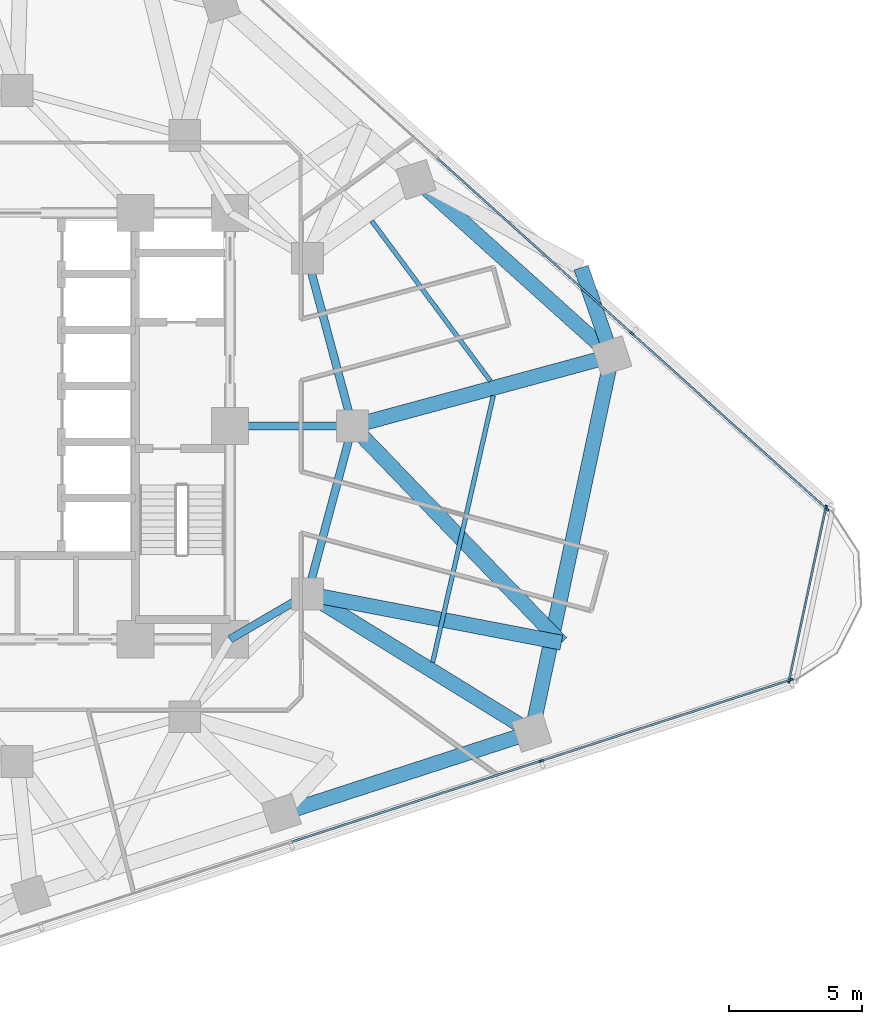
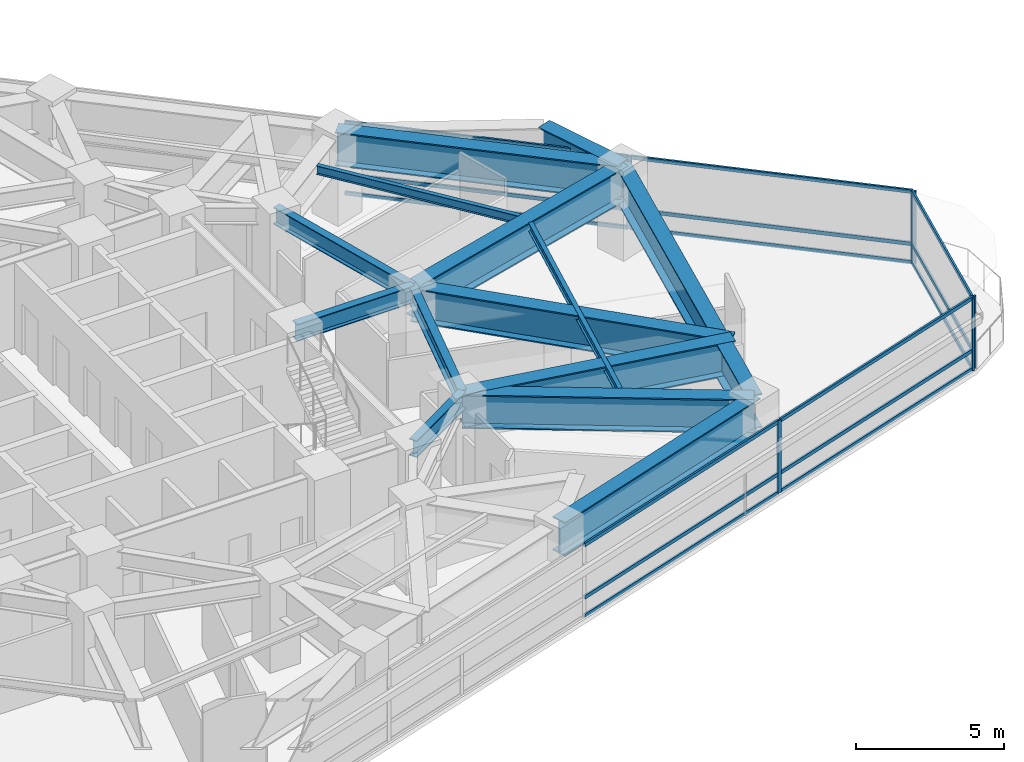
# One storey, part 4 of 14: 21 members, 14 beams, 3 elements without a shape of their own.
"""IFC4 building model written with IfcOpenShell, lengths in metres."""

from ifc_helpers import new_model, si_unit, direction, frame, origin, origin_2d, place, context, subcontext, project, spatial, rectangle, i_section, extrude, material, layer, layer_set, material_profile, profile_set, type_object, element, aggregate, save


model = new_model("IFC4")

# Units and contexts
model_context = context("Model", 3, precision=1e-05, world=origin(), true_north=direction((0.0, 1.0)))
body_context = subcontext(model_context, "Body", "Model", "MODEL_VIEW")
ifc_project = project(units=[si_unit("LENGTHUNIT", "METRE"), si_unit("AREAUNIT", "SQUARE_METRE"), si_unit("VOLUMEUNIT", "CUBIC_METRE"), si_unit("PLANEANGLEUNIT", "RADIAN"), si_unit("MASSUNIT", "GRAM", prefix="KILO")], contexts=[model_context])

# Site, building, storey
site_placement = place(None, origin())
site = spatial("IfcSite", under=ifc_project, at=site_placement, CompositionType="ELEMENT")
building_placement = place(site_placement, origin())
building = spatial("IfcBuilding", under=site, at=building_placement, Name="Terralouvre Media Tower", CompositionType="ELEMENT")
storey_placement = place(building_placement, frame((0.0, 0.0, 116.199951171875)))
storey = spatial("IfcBuildingStorey", under=building, at=storey_placement, Name="L29", CompositionType="ELEMENT", Elevation=116.199951171875)

# Beams
ifc_material_1 = material(Name="Structural steel S355J2", Category="steel")
ifc_material_profile_1 = material_profile(ifc_material_1, i_section(OverallWidth=0.169921875, OverallDepth=0.360107421875, WebThickness=0.008056640625, FlangeThickness=0.0126953125, at=origin_2d()), Name="IPE 360")
ifc_profile_set_1 = profile_set([ifc_material_profile_1], Name="Structural steel S355J2")
beam_type_1 = type_object("IfcBeamType", Name="Composite Floor Joist J-IPE360 (IPE 360)", PredefinedType="JOIST", material=ifc_profile_set_1)
beam_1_placement = place(storey_placement, frame((15.6064453125, -8.86865234375, 3.320068359375), z_axis=(0.221716686251, 0.975111127532, 0.0), x_axis=(-0.975111127532, 0.221716686251, 0.0)))
element("IfcBeam", 1, at=beam_1_placement, inside=storey, type_object=beam_type_1, Name="L29 Framing Beam JT-L29-06", PredefinedType="JOIST", context=body_context, shape_type="SweptSolid", body=[
    extrude(i_section(OverallWidth=0.169921875, OverallDepth=0.360107421875, WebThickness=0.008056640625, FlangeThickness=0.0126953125, at=origin_2d()), origin(), (0.0, 0.0, 1.0), 10.26708984375),
])
beam_2_placement = place(storey_placement, frame((17.774658203125, 1.68994140625, 3.320068359375), z_axis=(-0.595669069927, 0.803229954081, 0.0), x_axis=(-0.803229954081, -0.595669069927, 0.0)))
element("IfcBeam", 2, at=beam_2_placement, inside=storey, type_object=beam_type_1, Name="L29 Framing Beam JT-L29-07", PredefinedType="JOIST", context=body_context, shape_type="SweptSolid", body=[
    extrude(i_section(OverallWidth=0.169921875, OverallDepth=0.360107421875, WebThickness=0.008056640625, FlangeThickness=0.0126953125, at=origin_2d()), origin(), (0.0, 0.0, 1.0), 7.483154296875),
])

# Curtain wall, members
ifc_material_2 = material(Name="Low-iron laminated double glazing with solar-control coating", Category="glass")
ifc_layer_1 = layer(ifc_material_2, 0.1650390625, Name="Lower Media Tower Unitised Curtain Wall CW-02")
ifc_layer_set_1 = layer_set([ifc_layer_1], Name="Low-iron laminated double glazing with solar-control coating")
curtain_wall_type_1 = type_object("IfcCurtainWallType", Name="Lower Media Tower Unitised Curtain Wall CW-02", PredefinedType="NOTDEFINED", material=ifc_layer_set_1)
curtain_wall_1_placement = place(storey_placement, origin())
curtain_wall_1 = element("IfcCurtainWall", 3, at=curtain_wall_1_placement, inside=storey, type_object=curtain_wall_type_1, Name="L29 Facade Curtain Wall F0", PredefinedType="NOTDEFINED")
ifc_material_3 = material(Name="Anodised extruded aluminium 6063-T6", Category="aluminium")
ifc_material_profile_2 = material_profile(ifc_material_3, rectangle(XDim=0.074951171875, YDim=0.14990234375, at=origin_2d()), Name="ALU 75x150")
ifc_profile_set_2 = profile_set([ifc_material_profile_2], Name="Anodised extruded aluminium 6063-T6")
member_type_1 = type_object("IfcMemberType", Name="Curtain-Wall Horizontal Transom TR-150", PredefinedType="USERDEFINED", material=ifc_profile_set_2)
member_1_placement = place(storey_placement, frame((10.309814453125, -15.610107421875, 0.03759765625), z_axis=(0.951061672682, 0.309001124198, 0.0), x_axis=(-0.309001124198, 0.951061672682, 0.0)))
member_1 = element("IfcMember", 4, at=member_1_placement, type_object=member_type_1, Name="CW-02 transom 4.1", ObjectType="TRANSOM", PredefinedType="USERDEFINED", context=body_context, shape_type="SweptSolid", body=[
    extrude(rectangle(XDim=0.074951171875, YDim=0.14990234375, at=origin_2d()), origin(), (0.0, 0.0, 1.0), 9.81298828125),
])
member_2_placement = place(storey_placement, frame((10.309814453125, -15.610107421875, 0.800048828125), z_axis=(0.951061672682, 0.309001124198, 0.0), x_axis=(-0.309001124198, 0.951061672682, 0.0)))
member_2 = element("IfcMember", 5, at=member_2_placement, type_object=member_type_1, Name="CW-02 transom 4.2", ObjectType="TRANSOM", PredefinedType="USERDEFINED", context=body_context, shape_type="SweptSolid", body=[
    extrude(rectangle(XDim=0.074951171875, YDim=0.14990234375, at=origin_2d()), origin(), (0.0, 0.0, 1.0), 9.81298828125),
])
member_3_placement = place(storey_placement, frame((10.309814453125, -15.610107421875, 2.962646484375), z_axis=(0.951061672682, 0.309001124198, 0.0), x_axis=(-0.309001124198, 0.951061672682, 0.0)))
member_3 = element("IfcMember", 6, at=member_3_placement, type_object=member_type_1, Name="CW-02 transom 4.3", ObjectType="TRANSOM", PredefinedType="USERDEFINED", context=body_context, shape_type="SweptSolid", body=[
    extrude(rectangle(XDim=0.074951171875, YDim=0.14990234375, at=origin_2d()), origin(), (0.0, 0.0, 1.0), 9.81298828125),
])
member_4_placement = place(storey_placement, frame((19.7138671875, -12.5546875, 0.03759765625), z_axis=(0.951058475667, 0.309010963983, 0.0), x_axis=(-0.309010963983, 0.951058475667, 0.0)))
member_4 = element("IfcMember", 7, at=member_4_placement, type_object=member_type_1, Name="CW-02 transom 5.1", ObjectType="TRANSOM", PredefinedType="USERDEFINED", context=body_context, shape_type="SweptSolid", body=[
    extrude(rectangle(XDim=0.074951171875, YDim=0.14990234375, at=origin_2d()), origin(), (0.0, 0.0, 1.0), 9.775634765625),
])
member_5_placement = place(storey_placement, frame((19.7138671875, -12.5546875, 0.800048828125), z_axis=(0.951058475667, 0.309010963983, 0.0), x_axis=(-0.309010963983, 0.951058475667, 0.0)))
member_5 = element("IfcMember", 8, at=member_5_placement, type_object=member_type_1, Name="CW-02 transom 5.2", ObjectType="TRANSOM", PredefinedType="USERDEFINED", context=body_context, shape_type="SweptSolid", body=[
    extrude(rectangle(XDim=0.074951171875, YDim=0.14990234375, at=origin_2d()), origin(), (0.0, 0.0, 1.0), 9.775634765625),
])
member_6_placement = place(storey_placement, frame((19.7138671875, -12.5546875, 2.962646484375), z_axis=(0.951058475667, 0.309010963983, 0.0), x_axis=(-0.309010963983, 0.951058475667, 0.0)))
member_6 = element("IfcMember", 9, at=member_6_placement, type_object=member_type_1, Name="CW-02 transom 5.3", ObjectType="TRANSOM", PredefinedType="USERDEFINED", context=body_context, shape_type="SweptSolid", body=[
    extrude(rectangle(XDim=0.074951171875, YDim=0.14990234375, at=origin_2d()), origin(), (0.0, 0.0, 1.0), 9.775634765625),
])

curtain_wall_2_placement = place(storey_placement, origin())
curtain_wall_2 = element("IfcCurtainWall", 10, at=curtain_wall_2_placement, inside=storey, type_object=curtain_wall_type_1, Name="L29 Facade Curtain Wall F1", PredefinedType="NOTDEFINED")
member_7_placement = place(storey_placement, frame((30.380615234375, -3.09033203125, 0.03759765625), z_axis=(-0.743137656594, 0.669138568125, 0.0), x_axis=(-0.669138568125, -0.743137656594, 0.0)))
member_7 = element("IfcMember", 11, at=member_7_placement, type_object=member_type_1, Name="CW-02 transom 1.1", ObjectType="TRANSOM", PredefinedType="USERDEFINED", context=body_context, shape_type="SweptSolid", body=[
    extrude(rectangle(XDim=0.074951171875, YDim=0.14990234375, at=origin_2d()), origin(), (0.0, 0.0, 1.0), 9.775634765625),
])
member_8_placement = place(storey_placement, frame((30.380615234375, -3.09033203125, 0.800048828125), z_axis=(-0.743137656594, 0.669138568125, 0.0), x_axis=(-0.669138568125, -0.743137656594, 0.0)))
member_8 = element("IfcMember", 12, at=member_8_placement, type_object=member_type_1, Name="CW-02 transom 1.2", ObjectType="TRANSOM", PredefinedType="USERDEFINED", context=body_context, shape_type="SweptSolid", body=[
    extrude(rectangle(XDim=0.074951171875, YDim=0.14990234375, at=origin_2d()), origin(), (0.0, 0.0, 1.0), 9.775634765625),
])
member_9_placement = place(storey_placement, frame((30.380615234375, -3.09033203125, 2.962646484375), z_axis=(-0.743137656594, 0.669138568125, 0.0), x_axis=(-0.669138568125, -0.743137656594, 0.0)))
member_9 = element("IfcMember", 13, at=member_9_placement, type_object=member_type_1, Name="CW-02 transom 1.3", ObjectType="TRANSOM", PredefinedType="USERDEFINED", context=body_context, shape_type="SweptSolid", body=[
    extrude(rectangle(XDim=0.074951171875, YDim=0.14990234375, at=origin_2d()), origin(), (0.0, 0.0, 1.0), 9.775634765625),
])
member_10_placement = place(storey_placement, frame((23.060302734375, 3.5009765625, 0.03759765625), z_axis=(-0.743145676677, 0.669129661005, 0.0), x_axis=(-0.669129661005, -0.743145676677, 0.0)))
member_10 = element("IfcMember", 14, at=member_10_placement, type_object=member_type_1, Name="CW-02 transom 2.1", ObjectType="TRANSOM", PredefinedType="USERDEFINED", context=body_context, shape_type="SweptSolid", body=[
    extrude(rectangle(XDim=0.074951171875, YDim=0.14990234375, at=origin_2d()), origin(), (0.0, 0.0, 1.0), 9.81298828125),
])
member_11_placement = place(storey_placement, frame((23.060302734375, 3.5009765625, 0.800048828125), z_axis=(-0.743145676677, 0.669129661005, 0.0), x_axis=(-0.669129661005, -0.743145676677, 0.0)))
member_11 = element("IfcMember", 15, at=member_11_placement, type_object=member_type_1, Name="CW-02 transom 2.2", ObjectType="TRANSOM", PredefinedType="USERDEFINED", context=body_context, shape_type="SweptSolid", body=[
    extrude(rectangle(XDim=0.074951171875, YDim=0.14990234375, at=origin_2d()), origin(), (0.0, 0.0, 1.0), 9.81298828125),
])
member_12_placement = place(storey_placement, frame((23.060302734375, 3.5009765625, 2.962646484375), z_axis=(-0.743145676677, 0.669129661005, 0.0), x_axis=(-0.669129661005, -0.743145676677, 0.0)))
member_12 = element("IfcMember", 16, at=member_12_placement, type_object=member_type_1, Name="CW-02 transom 2.3", ObjectType="TRANSOM", PredefinedType="USERDEFINED", context=body_context, shape_type="SweptSolid", body=[
    extrude(rectangle(XDim=0.074951171875, YDim=0.14990234375, at=origin_2d()), origin(), (0.0, 0.0, 1.0), 9.81298828125),
])

ifc_material_4 = material(Name="Low-iron laminated double glazing with solar-control coating", Category="glass")
ifc_layer_2 = layer(ifc_material_4, 0.1650390625, Name="Rounded Wind-Corner Curved Glazing CW-04")
ifc_layer_set_2 = layer_set([ifc_layer_2], Name="Low-iron laminated double glazing with solar-control coating")
curtain_wall_type_2 = type_object("IfcCurtainWallType", Name="Rounded Wind-Corner Curved Glazing CW-04", PredefinedType="NOTDEFINED", material=ifc_layer_set_2)
curtain_wall_3_placement = place(storey_placement, origin())
curtain_wall_3 = element("IfcCurtainWall", 17, at=curtain_wall_3_placement, inside=storey, type_object=curtain_wall_type_2, Name="L29 Rounded Wind-Corner Curtain Wall C1", PredefinedType="NOTDEFINED")
member_13_placement = place(storey_placement, frame((28.998046875, -9.522216796875, 0.03759765625), z_axis=(0.207899641228, 0.978150161876, 0.0), x_axis=(-0.978150161876, 0.207899641228, 0.0)))
member_13 = element("IfcMember", 18, at=member_13_placement, type_object=member_type_1, Name="CW-04 transom 1.1", ObjectType="TRANSOM", PredefinedType="USERDEFINED", context=body_context, shape_type="SweptSolid", body=[
    extrude(rectangle(XDim=0.074951171875, YDim=0.14990234375, at=origin_2d()), origin(), (0.0, 0.0, 1.0), 6.5703125),
])
member_14_placement = place(storey_placement, frame((28.998046875, -9.522216796875, 0.800048828125), z_axis=(0.207899641228, 0.978150161876, 0.0), x_axis=(-0.978150161876, 0.207899641228, 0.0)))
member_14 = element("IfcMember", 19, at=member_14_placement, type_object=member_type_1, Name="CW-04 transom 1.2", ObjectType="TRANSOM", PredefinedType="USERDEFINED", context=body_context, shape_type="SweptSolid", body=[
    extrude(rectangle(XDim=0.074951171875, YDim=0.14990234375, at=origin_2d()), origin(), (0.0, 0.0, 1.0), 6.5703125),
])
member_15_placement = place(storey_placement, frame((28.998046875, -9.522216796875, 2.962646484375), z_axis=(0.207899641228, 0.978150161876, 0.0), x_axis=(-0.978150161876, 0.207899641228, 0.0)))
member_15 = element("IfcMember", 20, at=member_15_placement, type_object=member_type_1, Name="CW-04 transom 1.3", ObjectType="TRANSOM", PredefinedType="USERDEFINED", context=body_context, shape_type="SweptSolid", body=[
    extrude(rectangle(XDim=0.074951171875, YDim=0.14990234375, at=origin_2d()), origin(), (0.0, 0.0, 1.0), 6.5703125),
])

# Member
ifc_material_5 = material(Name="Anodised extruded aluminium 6063-T6", Category="aluminium")
ifc_material_profile_3 = material_profile(ifc_material_5, rectangle(XDim=0.074951171875, YDim=0.179931640625, at=origin_2d()), Name="ALU 75x180")
ifc_profile_set_3 = profile_set([ifc_material_profile_3], Name="Anodised extruded aluminium 6063-T6")
member_type_2 = type_object("IfcMemberType", Name="Curtain-Wall Vertical Mullion ML-180", PredefinedType="MULLION", material=ifc_profile_set_3)
member_16_placement = place(storey_placement, frame((19.67822265625, -12.566162109375, 0.0), z_axis=(0.0, 0.0, 1.0), x_axis=(-0.309017015439, 0.951056509451, 0.0)))
member_16 = element("IfcMember", 21, at=member_16_placement, type_object=member_type_2, Name="CW-02 mullion 5", PredefinedType="MULLION", context=body_context, shape_type="SweptSolid", body=[
    extrude(rectangle(XDim=0.074951171875, YDim=0.179931640625, at=origin_2d()), origin(), (0.0, 0.0, 1.0), 3.0),
])

member_17_placement = place(storey_placement, frame((29.046630859375, -9.522216796875, 0.0), z_axis=(0.0, 0.0, 1.0), x_axis=(-0.309017015439, 0.951056509451, 0.0)))
member_17 = element("IfcMember", 22, at=member_17_placement, type_object=member_type_2, Name="CW-02 mullion 6", PredefinedType="MULLION", context=body_context, shape_type="SweptSolid", body=[
    extrude(rectangle(XDim=0.074951171875, YDim=0.179931640625, at=origin_2d()), origin(), (0.0, 0.0, 1.0), 3.0),
])

aggregate(curtain_wall_1, [member_16, member_17, member_1, member_2, member_3, member_4, member_5, member_6])

member_18_placement = place(storey_placement, frame((30.408447265625, -3.115478515625, 0.0), z_axis=(0.0, 0.0, 1.0), x_axis=(-0.669130639602, -0.743144795545, 0.0)))
member_18 = element("IfcMember", 23, at=member_18_placement, type_object=member_type_2, Name="CW-02 mullion 1", PredefinedType="MULLION", context=body_context, shape_type="SweptSolid", body=[
    extrude(rectangle(XDim=0.074951171875, YDim=0.179931640625, at=origin_2d()), origin(), (0.0, 0.0, 1.0), 3.0),
])

member_19_placement = place(storey_placement, frame((23.088134765625, 3.475830078125, 0.0), z_axis=(0.0, 0.0, 1.0), x_axis=(-0.669130639602, -0.743144795545, 0.0)))
member_19 = element("IfcMember", 24, at=member_19_placement, type_object=member_type_2, Name="CW-02 mullion 2", PredefinedType="MULLION", context=body_context, shape_type="SweptSolid", body=[
    extrude(rectangle(XDim=0.074951171875, YDim=0.179931640625, at=origin_2d()), origin(), (0.0, 0.0, 1.0), 3.0),
])

aggregate(curtain_wall_2, [member_18, member_19, member_7, member_8, member_9, member_10, member_11, member_12])

member_20_placement = place(storey_placement, frame((28.990234375, -9.55908203125, 0.0), z_axis=(0.0, 0.0, 1.0), x_axis=(-0.978147617626, 0.207911611348, 0.0)))
member_20 = element("IfcMember", 25, at=member_20_placement, type_object=member_type_2, Name="CW-04 mullion 1", PredefinedType="MULLION", context=body_context, shape_type="SweptSolid", body=[
    extrude(rectangle(XDim=0.074951171875, YDim=0.179931640625, at=origin_2d()), origin(), (0.0, 0.0, 1.0), 3.0),
])

member_21_placement = place(storey_placement, frame((30.371826171875, -3.058837890625, 0.0), z_axis=(0.0, 0.0, 1.0), x_axis=(-0.978147617626, 0.207911611348, 0.0)))
member_21 = element("IfcMember", 26, at=member_21_placement, type_object=member_type_2, Name="CW-04 mullion 2", PredefinedType="MULLION", context=body_context, shape_type="SweptSolid", body=[
    extrude(rectangle(XDim=0.074951171875, YDim=0.179931640625, at=origin_2d()), origin(), (0.0, 0.0, 1.0), 3.0),
])

aggregate(curtain_wall_3, [member_20, member_21, member_13, member_14, member_15])

# Beams
ifc_material_6 = material(Name="Structural steel S460M", Category="steel")
ifc_material_profile_4 = material_profile(ifc_material_6, i_section(OverallWidth=0.300048828125, OverallDepth=0.699951171875, WebThickness=0.01708984375, FlangeThickness=0.031982421875, at=origin_2d()), Name="HEB 700")
ifc_profile_set_4 = profile_set([ifc_material_profile_4], Name="Structural steel S460M")
beam_type_2 = type_object("IfcBeamType", Name="Primary Floor Girder B-HEB700 (HEB 700)", PredefinedType="BEAM", material=ifc_profile_set_4)
for number, where, z_axis, x_axis, name in (
    (27, (10.911865234375, -6.300048828125, 3.150146484375), (0.258838989821, 0.965920481897, 0.0), (-0.965920481897, 0.258838989821, 0.0), "L29 Framing Beam BM-L29-MR05"),
    (28, (12.60009765625, 0.0, 3.150146484375), (-0.258838989821, 0.965920481897, 0.0), (-0.965920481897, -0.258838989821, 0.0), "L29 Framing Beam BM-L29-MR06"),
):
    element("IfcBeam", number, at=place(storey_placement, frame(where, z_axis=z_axis, x_axis=x_axis)), inside=storey, type_object=beam_type_2, Name=name, PredefinedType="BEAM", context=body_context, shape_type="SweptSolid", body=[
        extrude(i_section(OverallWidth=0.300048828125, OverallDepth=0.699951171875, WebThickness=0.01708984375, FlangeThickness=0.031982421875, at=origin_2d()), origin(), (0.0, 0.0, 1.0), 6.522216796875),
    ])
beam_3_placement = place(storey_placement, frame((8.0, -8.0, 3.150146484375), z_axis=(0.863602894532, 0.504172629717, 0.0), x_axis=(-0.504172629717, 0.863602894532, 0.0)))
element("IfcBeam", 29, at=beam_3_placement, inside=storey, type_object=beam_type_2, Name="L29 Framing Beam BM-L29-CM05", PredefinedType="BEAM", context=body_context, shape_type="SweptSolid", body=[
    extrude(i_section(OverallWidth=0.300048828125, OverallDepth=0.699951171875, WebThickness=0.01708984375, FlangeThickness=0.031982421875, at=origin_2d()), origin(), (0.0, 0.0, 1.0), 3.371826171875),
])
beam_4_placement = place(storey_placement, frame((8.0, 0.0, 3.150146484375), z_axis=(1.0, 0.0, 0.0), x_axis=(0.0, 1.0, 0.0)))
element("IfcBeam", 30, at=beam_4_placement, inside=storey, type_object=beam_type_2, Name="L29 Framing Beam BM-L29-CM06", PredefinedType="BEAM", context=body_context, shape_type="SweptSolid", body=[
    extrude(i_section(OverallWidth=0.300048828125, OverallDepth=0.699951171875, WebThickness=0.01708984375, FlangeThickness=0.031982421875, at=origin_2d()), origin(), (0.0, 0.0, 1.0), 4.60009765625),
])
ifc_material_7 = material(Name="Structural steel S460M", Category="steel")
ifc_material_profile_5 = material_profile(ifc_material_7, i_section(OverallWidth=0.56005859375, OverallDepth=1.39990234375, WebThickness=0.031982421875, FlangeThickness=0.050048828125, at=origin_2d()), Name="TG 1400x560")
ifc_profile_set_5 = profile_set([ifc_material_profile_5], Name="Structural steel S460M")
beam_type_3 = type_object("IfcBeamType", Name="Welded Transfer Girder TG-1400 (TG 1400x560)", PredefinedType="USERDEFINED", material=ifc_profile_set_5)
beam_5_placement = place(storey_placement, frame((9.925048828125, -14.547119140625, 2.800048828125), z_axis=(0.95105348149, 0.309026334389, 0.0), x_axis=(-0.309026334389, 0.95105348149, 0.0)))
element("IfcBeam", 31, at=beam_5_placement, inside=storey, type_object=beam_type_3, Name="L29 Framing Beam BM-L29-PR05", ObjectType="TRANSFER GIRDER", PredefinedType="USERDEFINED", context=body_context, shape_type="SweptSolid", body=[
    extrude(i_section(OverallWidth=0.56005859375, OverallDepth=1.39990234375, WebThickness=0.031982421875, FlangeThickness=0.050048828125, at=origin_2d()), origin(), (0.0, 0.0, 1.0), 9.887939453125),
])
beam_6_placement = place(storey_placement, frame((19.3291015625, -11.491455078125, 2.800048828125), z_axis=(0.207911520129, 0.978147637015, 0.0), x_axis=(-0.978147637015, 0.207911520129, 0.0)))
element("IfcBeam", 32, at=beam_6_placement, inside=storey, type_object=beam_type_3, Name="L29 Framing Beam BM-L29-PR06", ObjectType="TRANSFER GIRDER", PredefinedType="USERDEFINED", context=body_context, shape_type="SweptSolid", body=[
    extrude(i_section(OverallWidth=0.56005859375, OverallDepth=1.39990234375, WebThickness=0.031982421875, FlangeThickness=0.050048828125, at=origin_2d()), origin(), (0.0, 0.0, 1.0), 14.443359375),
])
beam_7_placement = place(storey_placement, frame((22.33203125, 2.63623046875, 2.800048828125), z_axis=(-0.743149256852, 0.669125684786, 0.0), x_axis=(-0.669125684786, -0.743149256852, 0.0)))
element("IfcBeam", 33, at=beam_7_placement, inside=storey, type_object=beam_type_3, Name="L29 Framing Beam BM-L29-PR07", ObjectType="TRANSFER GIRDER", PredefinedType="USERDEFINED", context=body_context, shape_type="SweptSolid", body=[
    extrude(i_section(OverallWidth=0.56005859375, OverallDepth=1.39990234375, WebThickness=0.031982421875, FlangeThickness=0.050048828125, at=origin_2d()), origin(), (0.0, 0.0, 1.0), 9.887939453125),
])
beam_8_placement = place(storey_placement, frame((10.911865234375, -6.300048828125, 2.800048828125), z_axis=(0.851135757445, -0.524945637565, 0.0), x_axis=(0.524945637565, 0.851135757445, 0.0)))
element("IfcBeam", 34, at=beam_8_placement, inside=storey, type_object=beam_type_3, Name="L29 Framing Beam BM-L29-RD06", ObjectType="TRANSFER GIRDER", PredefinedType="USERDEFINED", context=body_context, shape_type="SweptSolid", body=[
    extrude(i_section(OverallWidth=0.56005859375, OverallDepth=1.39990234375, WebThickness=0.031982421875, FlangeThickness=0.050048828125, at=origin_2d()), origin(), (0.0, 0.0, 1.0), 9.889404296875),
])
beam_9_placement = place(storey_placement, frame((12.60009765625, 0.0, 2.800048828125), z_axis=(0.965213896705, 0.261461533707, 0.0), x_axis=(-0.261461533707, 0.965213896705, 0.0)))
element("IfcBeam", 35, at=beam_9_placement, inside=storey, type_object=beam_type_3, Name="L29 Framing Beam BM-L29-RD07", ObjectType="TRANSFER GIRDER", PredefinedType="USERDEFINED", context=body_context, shape_type="SweptSolid", body=[
    extrude(i_section(OverallWidth=0.56005859375, OverallDepth=1.39990234375, WebThickness=0.031982421875, FlangeThickness=0.050048828125, at=origin_2d()), origin(), (0.0, 0.0, 1.0), 10.082763671875),
])
beam_10_placement = place(storey_placement, frame((20.438232421875, -8.129150390625, 2.800048828125), z_axis=(-0.982061695862, 0.188559872511, 0.0), x_axis=(-0.188559872511, -0.982061695862, 0.0)))
element("IfcBeam", 36, at=beam_10_placement, inside=storey, type_object=beam_type_3, Name="L29 Framing Beam BM-L29-TR04S1", ObjectType="TRANSFER GIRDER", PredefinedType="USERDEFINED", context=body_context, shape_type="SweptSolid", body=[
    extrude(i_section(OverallWidth=0.56005859375, OverallDepth=1.39990234375, WebThickness=0.031982421875, FlangeThickness=0.050048828125, at=origin_2d()), origin(), (0.0, 0.0, 1.0), 9.700439453125),
])
beam_11_placement = place(storey_placement, frame((20.438232421875, -8.129150390625, 2.800048828125), z_axis=(-0.69410396184, 0.719874773942, 0.0), x_axis=(-0.719874773942, -0.69410396184, 0.0)))
element("IfcBeam", 37, at=beam_11_placement, inside=storey, type_object=beam_type_3, Name="L29 Framing Beam BM-L29-TR04S2", ObjectType="TRANSFER GIRDER", PredefinedType="USERDEFINED", context=body_context, shape_type="SweptSolid", body=[
    extrude(i_section(OverallWidth=0.56005859375, OverallDepth=1.39990234375, WebThickness=0.031982421875, FlangeThickness=0.050048828125, at=origin_2d()), origin(), (0.0, 0.0, 1.0), 11.29248046875),
])
beam_12_placement = place(storey_placement, frame((21.176025390625, 5.9482421875, 2.800048828125), z_axis=(0.329538088211, -0.944142281872, 0.0), x_axis=(0.944142281872, 0.329538088211, 0.0)))
element("IfcBeam", 38, at=beam_12_placement, inside=storey, type_object=beam_type_3, Name="L29 Framing Beam BM-L29-TR05S1", ObjectType="TRANSFER GIRDER", PredefinedType="USERDEFINED", context=body_context, shape_type="SweptSolid", body=[
    extrude(i_section(OverallWidth=0.56005859375, OverallDepth=1.39990234375, WebThickness=0.031982421875, FlangeThickness=0.050048828125, at=origin_2d()), origin(), (0.0, 0.0, 1.0), 3.508056640625),
])

save(model, "model.ifc")
